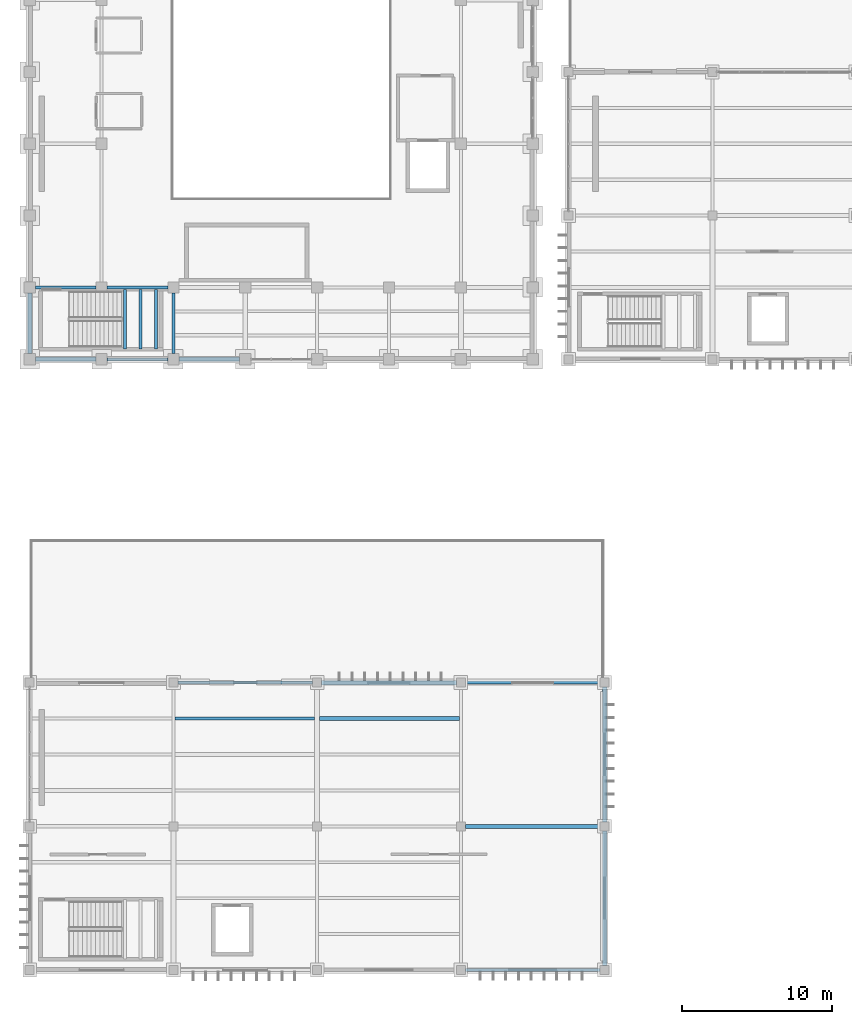
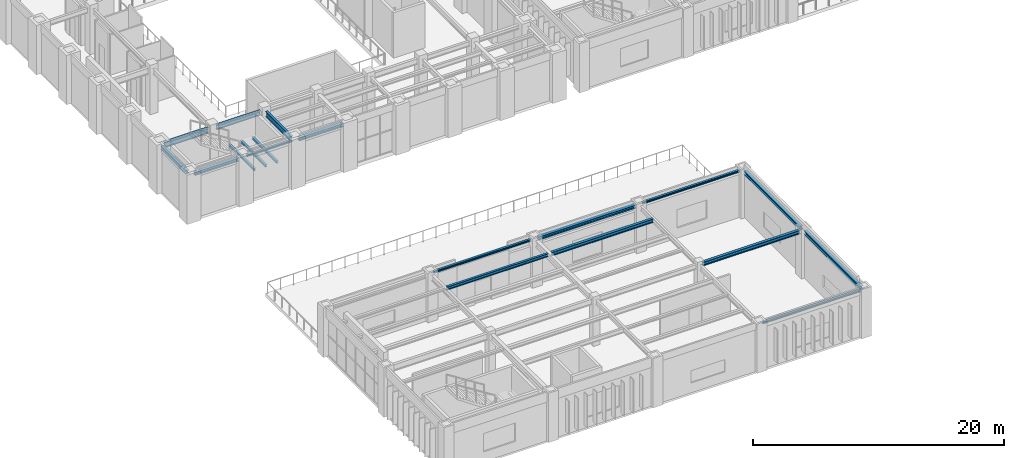
# One storey, part 6 of 83: 19 beams.
"""IFC4 building model written with IfcOpenShell, lengths in metres."""

from ifc_helpers import new_model, si_unit, direction, frame, origin, origin_2d, place, context, subcontext, project, spatial, i_section, extrude, material, material_profile, profile_set, type_object, element, save


model = new_model("IFC4")

# Units and contexts
model_context = context("Model", 3, precision=1e-05, world=origin(), true_north=direction((0.0, 1.0)))
body_context = subcontext(model_context, "Body", "Model", "MODEL_VIEW")
ifc_project = project(units=[si_unit("LENGTHUNIT", "METRE"), si_unit("AREAUNIT", "SQUARE_METRE"), si_unit("VOLUMEUNIT", "CUBIC_METRE"), si_unit("PLANEANGLEUNIT", "RADIAN"), si_unit("MASSUNIT", "GRAM", prefix="KILO")], contexts=[model_context])

# Site, building, storey
site_placement = place(None, origin())
site = spatial("IfcSite", under=ifc_project, at=site_placement, CompositionType="ELEMENT")
building_placement = place(site_placement, origin())
building = spatial("IfcBuilding", under=site, at=building_placement, Name="Mavantir Sound Aquarium", CompositionType="ELEMENT")
storey_placement = place(building_placement, frame((0.0, 0.0, 10.5)))
storey = spatial("IfcBuildingStorey", under=building, at=storey_placement, Name="L02", CompositionType="ELEMENT", Elevation=10.5)

# Beams
ifc_material = material(Name="Structural Steel ASTM A992 Gr50", Category="steel")
ifc_material_profile_1 = material_profile(ifc_material, i_section(OverallWidth=0.202880859375, OverallDepth=0.202880859375, WebThickness=0.007080078125, FlangeThickness=0.010986328125, FilletRadius=0.010009765625, at=origin_2d()), Name="W200X46")
ifc_profile_set_1 = profile_set([ifc_material_profile_1], Name="Structural Steel ASTM A992 Gr50")
beam_type_1 = type_object("IfcBeamType", Name="BM-W200X46-E", PredefinedType="LINTEL", material=ifc_profile_set_1)
beam_1_placement = place(storey_placement, frame((5.175048828125, 40.800048828125, 4.29443359375), z_axis=(1.0, 0.0, 0.0), x_axis=(0.0, 1.0, 0.0)))
element("IfcBeam", 1, at=beam_1_placement, inside=storey, type_object=beam_type_1, Name="L02 primary beam SL-20 1420", PredefinedType="LINTEL", context=body_context, shape_type="SweptSolid", body=[
    extrude(i_section(OverallWidth=0.202880859375, OverallDepth=0.202880859375, WebThickness=0.007080078125, FlangeThickness=0.010986328125, FilletRadius=0.010009765625, at=origin_2d()), origin(), (0.0, 0.0, 1.0), 4.050048828125),
])
for number, where, z_axis, x_axis, name in (
    (2, (29.10009765625, 0.0, 4.41455078125), (1.0, 0.0, 0.0), (0.0, 1.0, 0.0), "L02 primary beam SL-20 1496"),
    (3, (9.89990234375, 19.199951171875, 4.41455078125), (1.0, 0.0, 0.0), (0.0, 1.0, 0.0), "L02 primary beam SL-20 1502"),
    (4, (29.10009765625, 19.199951171875, 4.41455078125), (1.0, 0.0, 0.0), (0.0, 1.0, 0.0), "L02 primary beam SL-20 1504"),
):
    element("IfcBeam", number, at=place(storey_placement, frame(where, z_axis=z_axis, x_axis=x_axis)), inside=storey, type_object=beam_type_1, Name=name, PredefinedType="LINTEL", context=body_context, shape_type="SweptSolid", body=[
        extrude(i_section(OverallWidth=0.202880859375, OverallDepth=0.202880859375, WebThickness=0.007080078125, FlangeThickness=0.010986328125, FilletRadius=0.010009765625, at=origin_2d()), origin(), (0.0, 0.0, 1.0), 9.0),
    ])
ifc_material_profile_2 = material_profile(ifc_material, i_section(OverallWidth=0.202880859375, OverallDepth=0.202880859375, WebThickness=0.007080078125, FlangeThickness=0.010986328125, FilletRadius=0.010009765625, at=origin_2d()), Name="W200X46")
ifc_profile_set_2 = profile_set([ifc_material_profile_2], Name="Structural Steel ASTM A992 Gr50")
beam_type_2 = type_object("IfcBeamType", Name="BM-W200X46-I", PredefinedType="LINTEL", material=ifc_profile_set_2)
for number, where, z_axis, x_axis, name in (
    (5, (6.35009765625, 41.47509765625, 2.095458984375), (0.0, 1.0, 0.0), (-1.0, 0.0, 0.0), "Stair ST1 landing support beam 13"),
    (6, (7.389892578125, 41.47509765625, 2.095458984375), (0.0, 1.0, 0.0), (-1.0, 0.0, 0.0), "Stair ST1 landing support beam 14"),
    (7, (8.429931640625, 41.47509765625, 2.095458984375), (0.0, 1.0, 0.0), (-1.0, 0.0, 0.0), "Stair ST1 landing support beam 15"),
):
    element("IfcBeam", number, at=place(storey_placement, frame(where, z_axis=z_axis, x_axis=x_axis)), inside=storey, type_object=beam_type_2, Name=name, PredefinedType="LINTEL", context=body_context, shape_type="SweptSolid", body=[
        extrude(i_section(OverallWidth=0.202880859375, OverallDepth=0.202880859375, WebThickness=0.007080078125, FlangeThickness=0.010986328125, FilletRadius=0.010009765625, at=origin_2d()), origin(), (0.0, 0.0, 1.0), 4.0),
    ])
ifc_material_profile_3 = material_profile(ifc_material, i_section(OverallWidth=0.205078125, OverallDepth=0.31005859375, WebThickness=0.009521484375, FlangeThickness=0.016357421875, FilletRadius=0.012939453125, at=origin_2d()), Name="W310X74")
ifc_profile_set_3 = profile_set([ifc_material_profile_3], Name="Structural Steel ASTM A992 Gr50")
beam_type_3 = type_object("IfcBeamType", Name="BM-W310X74-I", PredefinedType="JOIST", material=ifc_profile_set_3)
beam_2_placement = place(storey_placement, frame((9.7060546875, 16.800048828125, 4.361083984375), z_axis=(1.0, 0.0, 0.0), x_axis=(0.0, 1.0, 0.0)))
element("IfcBeam", 8, at=beam_2_placement, inside=storey, type_object=beam_type_3, Name="L02 secondary floor joist SJ-31 887", PredefinedType="JOIST", context=body_context, shape_type="SweptSolid", body=[
    extrude(i_section(OverallWidth=0.205078125, OverallDepth=0.31005859375, WebThickness=0.009521484375, FlangeThickness=0.016357421875, FilletRadius=0.012939453125, at=origin_2d()), origin(), (0.0, 0.0, 1.0), 9.33203125),
])
ifc_material_profile_4 = material_profile(ifc_material, i_section(OverallWidth=0.304931640625, OverallDepth=0.30810546875, WebThickness=0.010009765625, FlangeThickness=0.015380859375, FilletRadius=0.014892578125, at=origin_2d()), Name="W310X97")
ifc_profile_set_4 = profile_set([ifc_material_profile_4], Name="Structural Steel ASTM A992 Gr50")
beam_type_4 = type_object("IfcBeamType", Name="BM-W310X97-E", PredefinedType="SPANDREL", material=ifc_profile_set_4)
beam_3_placement = place(storey_placement, frame((0.375, 40.800048828125, 4.241943359375), z_axis=(1.0, 0.0, 0.0), x_axis=(0.0, 1.0, 0.0)))
element("IfcBeam", 9, at=beam_3_placement, inside=storey, type_object=beam_type_4, Name="L02 primary beam SS-31A 1419", PredefinedType="SPANDREL", context=body_context, shape_type="SweptSolid", body=[
    extrude(i_section(OverallWidth=0.304931640625, OverallDepth=0.30810546875, WebThickness=0.010009765625, FlangeThickness=0.015380859375, FilletRadius=0.014892578125, at=origin_2d()), origin(), (0.0, 0.0, 1.0), 4.050048828125),
])
beam_4_placement = place(storey_placement, frame((9.97509765625, 40.800048828125, 4.241943359375), z_axis=(1.0, 0.0, 0.0), x_axis=(0.0, 1.0, 0.0)))
element("IfcBeam", 10, at=beam_4_placement, inside=storey, type_object=beam_type_4, Name="L02 primary beam SS-31A 1421", PredefinedType="SPANDREL", context=body_context, shape_type="SweptSolid", body=[
    extrude(i_section(OverallWidth=0.304931640625, OverallDepth=0.30810546875, WebThickness=0.010009765625, FlangeThickness=0.015380859375, FilletRadius=0.014892578125, at=origin_2d()), origin(), (0.0, 0.0, 1.0), 4.0498046875),
])
beam_5_placement = place(storey_placement, frame((0.0, 41.175048828125, 4.241943359375), z_axis=(0.0, 1.0, 0.0), x_axis=(-1.0, 0.0, 0.0)))
element("IfcBeam", 11, at=beam_5_placement, inside=storey, type_object=beam_type_4, Name="L02 primary girder SS-31A 1449", PredefinedType="SPANDREL", context=body_context, shape_type="SweptSolid", body=[
    extrude(i_section(OverallWidth=0.304931640625, OverallDepth=0.30810546875, WebThickness=0.010009765625, FlangeThickness=0.015380859375, FilletRadius=0.014892578125, at=origin_2d()), origin(), (0.0, 0.0, 1.0), 4.050048828125),
])
for number, where, z_axis, x_axis, name in (
    (12, (19.5, 19.199951171875, 4.362060546875), (1.0, 0.0, 0.0), (0.0, 1.0, 0.0), "L02 primary beam SS-31A 1503"),
    (13, (38.39990234375, 0.300048828125, 4.362060546875), (0.0, 1.0, 0.0), (-1.0, 0.0, 0.0), "L02 primary girder SS-31A 1513"),
    (14, (38.39990234375, 9.89990234375, 4.362060546875), (0.0, 1.0, 0.0), (-1.0, 0.0, 0.0), "L02 primary girder SS-31A 1514"),
):
    element("IfcBeam", number, at=place(storey_placement, frame(where, z_axis=z_axis, x_axis=x_axis)), inside=storey, type_object=beam_type_4, Name=name, PredefinedType="SPANDREL", context=body_context, shape_type="SweptSolid", body=[
        extrude(i_section(OverallWidth=0.304931640625, OverallDepth=0.30810546875, WebThickness=0.010009765625, FlangeThickness=0.015380859375, FilletRadius=0.014892578125, at=origin_2d()), origin(), (0.0, 0.0, 1.0), 9.0),
    ])
ifc_material_profile_5 = material_profile(ifc_material, i_section(OverallWidth=0.257080078125, OverallDepth=0.363037109375, WebThickness=0.012939453125, FlangeThickness=0.021728515625, FilletRadius=0.014892578125, at=origin_2d()), Name="W360X122")
ifc_profile_set_5 = profile_set([ifc_material_profile_5], Name="Structural Steel ASTM A992 Gr50")
beam_type_5 = type_object("IfcBeamType", Name="BM-W360X122-I", PredefinedType="BEAM", material=ifc_profile_set_5)
beam_6_placement = place(storey_placement, frame((29.10009765625, 9.60009765625, 4.33447265625), z_axis=(1.0, 0.0, 0.0), x_axis=(0.0, 1.0, 0.0)))
element("IfcBeam", 15, at=beam_6_placement, inside=storey, type_object=beam_type_5, Name="L02 primary beam SB-36A 1500", PredefinedType="BEAM", context=body_context, shape_type="SweptSolid", body=[
    extrude(i_section(OverallWidth=0.257080078125, OverallDepth=0.363037109375, WebThickness=0.012939453125, FlangeThickness=0.021728515625, FilletRadius=0.014892578125, at=origin_2d()), origin(), (0.0, 0.0, 1.0), 9.0),
])
ifc_material_profile_6 = material_profile(ifc_material, i_section(OverallWidth=0.25390625, OverallDepth=0.35302734375, WebThickness=0.009521484375, FlangeThickness=0.016357421875, FilletRadius=0.014892578125, at=origin_2d()), Name="W360X91")
ifc_profile_set_6 = profile_set([ifc_material_profile_6], Name="Structural Steel ASTM A992 Gr50")
beam_type_6 = type_object("IfcBeamType", Name="BM-W360X91-I", PredefinedType="JOIST", material=ifc_profile_set_6)
beam_7_placement = place(storey_placement, frame((19.362060546875, 16.800048828125, 4.339599609375), z_axis=(1.0, 0.0, 0.0), x_axis=(0.0, 1.0, 0.0)))
element("IfcBeam", 16, at=beam_7_placement, inside=storey, type_object=beam_type_6, Name="L02 secondary floor joist SJ-36 890", PredefinedType="JOIST", context=body_context, shape_type="SweptSolid", body=[
    extrude(i_section(OverallWidth=0.25390625, OverallDepth=0.35302734375, WebThickness=0.009521484375, FlangeThickness=0.016357421875, FilletRadius=0.014892578125, at=origin_2d()), origin(), (0.0, 0.0, 1.0), 9.3408203125),
])
ifc_material_profile_7 = material_profile(ifc_material, i_section(OverallWidth=0.194091796875, OverallDepth=0.468994140625, WebThickness=0.0126953125, FlangeThickness=0.0205078125, FilletRadius=0.01611328125, at=origin_2d()), Name="W460X106")
ifc_profile_set_7 = profile_set([ifc_material_profile_7], Name="Structural Steel ASTM A992 Gr50")
beam_type_7 = type_object("IfcBeamType", Name="BM-W460X106-I", PredefinedType="BEAM", material=ifc_profile_set_7)
beam_8_placement = place(storey_placement, frame((5.175048828125, 45.60009765625, 4.16162109375), z_axis=(1.0, 0.0, 0.0), x_axis=(0.0, 1.0, 0.0)))
element("IfcBeam", 17, at=beam_8_placement, inside=storey, type_object=beam_type_7, Name="L02 primary beam SB-46 1427", PredefinedType="BEAM", context=body_context, shape_type="SweptSolid", body=[
    extrude(i_section(OverallWidth=0.194091796875, OverallDepth=0.468994140625, WebThickness=0.0126953125, FlangeThickness=0.0205078125, FilletRadius=0.01611328125, at=origin_2d()), origin(), (0.0, 0.0, 1.0), 4.050048828125),
])
ifc_material_profile_8 = material_profile(ifc_material, i_section(OverallWidth=0.2119140625, OverallDepth=0.5439453125, WebThickness=0.01318359375, FlangeThickness=0.021240234375, FilletRadius=0.01806640625, at=origin_2d()), Name="W530X123")
ifc_profile_set_8 = profile_set([ifc_material_profile_8], Name="Structural Steel ASTM A992 Gr50")
beam_type_8 = type_object("IfcBeamType", Name="BM-W530X123-I", PredefinedType="BEAM", material=ifc_profile_set_8)
for number, where, z_axis, x_axis, name in (
    (18, (0.375, 45.60009765625, 4.1240234375), (1.0, 0.0, 0.0), (0.0, 1.0, 0.0), "L02 primary beam SB-53 1426"),
    (19, (9.60009765625, 41.175048828125, 4.1240234375), (0.0, 1.0, 0.0), (-1.0, 0.0, 0.0), "L02 primary girder SB-53 1460"),
):
    element("IfcBeam", number, at=place(storey_placement, frame(where, z_axis=z_axis, x_axis=x_axis)), inside=storey, type_object=beam_type_8, Name=name, PredefinedType="BEAM", context=body_context, shape_type="SweptSolid", body=[
        extrude(i_section(OverallWidth=0.2119140625, OverallDepth=0.5439453125, WebThickness=0.01318359375, FlangeThickness=0.021240234375, FilletRadius=0.01806640625, at=origin_2d()), origin(), (0.0, 0.0, 1.0), 4.050048828125),
    ])

save(model, "model.ifc")
